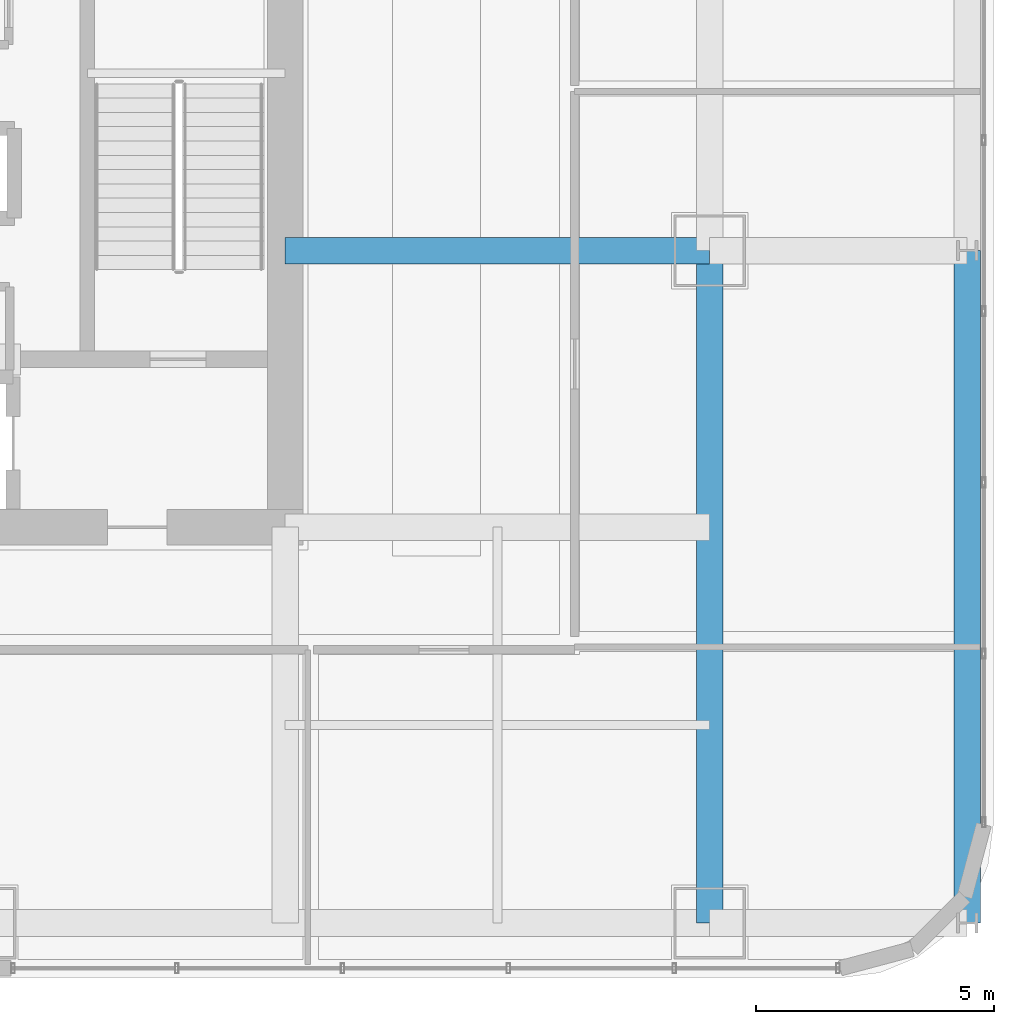
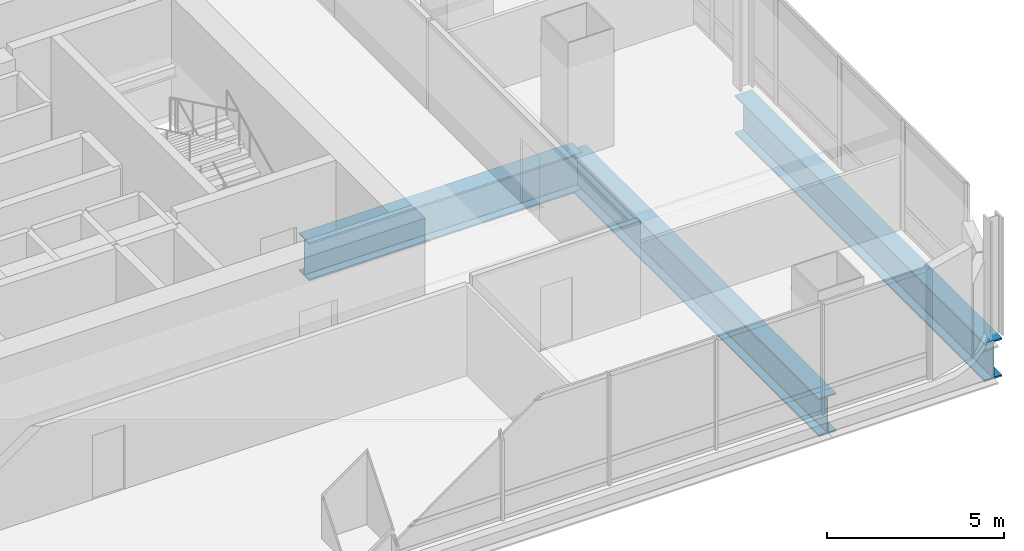
# One storey, part 12 of 37: 3 beams.
"""IFC4 building model written with IfcOpenShell, lengths in metres."""

from ifc_helpers import new_model, si_unit, direction, frame, origin, origin_2d, place, context, subcontext, project, spatial, i_section, extrude, material, material_profile, profile_set, type_object, element, save


model = new_model("IFC4")

# Units and contexts
model_context = context("Model", 3, precision=1e-05, world=origin(), true_north=direction((0.0, 1.0)))
body_context = subcontext(model_context, "Body", "Model", "MODEL_VIEW")
ifc_project = project(units=[si_unit("LENGTHUNIT", "METRE"), si_unit("AREAUNIT", "SQUARE_METRE"), si_unit("VOLUMEUNIT", "CUBIC_METRE"), si_unit("PLANEANGLEUNIT", "RADIAN"), si_unit("MASSUNIT", "GRAM", prefix="KILO")], contexts=[model_context])

# Site, building, storey
site_placement = place(None, origin())
site = spatial("IfcSite", under=ifc_project, at=site_placement, CompositionType="ELEMENT")
building_placement = place(site_placement, origin())
building = spatial("IfcBuilding", under=site, at=building_placement, Name="Punatoya Terracotta Tower", CompositionType="ELEMENT")
storey_placement = place(building_placement, frame((0.0, 0.0, 109.199951171875)))
storey = spatial("IfcBuildingStorey", under=building, at=storey_placement, Name="L25", CompositionType="ELEMENT", Elevation=109.199951171875)

# Beams
ifc_material = material(Name="Steel S460", Category="steel")
ifc_material_profile = material_profile(ifc_material, i_section(OverallWidth=0.56005859375, OverallDepth=1.320068359375, WebThickness=0.035888671875, FlangeThickness=0.054931640625, FilletRadius=0.01806640625, at=origin_2d()))
ifc_profile_set = profile_set([ifc_material_profile], Name="Steel S460")
beam_type = type_object("IfcBeamType", Name="BM-TG-BLK", PredefinedType="BEAM", material=ifc_profile_set)
beam_1_placement = place(storey_placement, frame((19.10009765625, -17.5, -0.89990234375), z_axis=(0.0, 1.0, 0.0), x_axis=(-1.0, 0.0, 0.0)))
element("IfcBeam", 1, at=beam_1_placement, inside=storey, type_object=beam_type, Name="BM-L25-RG-E1", PredefinedType="BEAM", context=body_context, shape_type="SweptSolid", body=[
    extrude(i_section(OverallWidth=0.56005859375, OverallDepth=1.320068359375, WebThickness=0.035888671875, FlangeThickness=0.054931640625, FilletRadius=0.01806640625, at=origin_2d()), origin(), (0.0, 0.0, 1.0), 14.10009765625),
])
beam_2_placement = place(storey_placement, frame((10.199951171875, -3.39990234375, -0.89990234375), z_axis=(1.0, 0.0, 0.0), x_axis=(0.0, 1.0, 0.0)))
element("IfcBeam", 2, at=beam_2_placement, inside=storey, type_object=beam_type, Name="BM-L25-PR-ED", PredefinedType="BEAM", context=body_context, shape_type="SweptSolid", body=[
    extrude(i_section(OverallWidth=0.56005859375, OverallDepth=1.320068359375, WebThickness=0.035888671875, FlangeThickness=0.054931640625, FilletRadius=0.01806640625, at=origin_2d()), origin(), (0.0, 0.0, 1.0), 8.900146484375),
])
beam_3_placement = place(storey_placement, frame((24.5, -17.5, -0.89990234375), z_axis=(0.0, 1.0, 0.0), x_axis=(-1.0, 0.0, 0.0)))
element("IfcBeam", 3, at=beam_3_placement, inside=storey, type_object=beam_type, Name="BM-L25-PER-E1", PredefinedType="BEAM", context=body_context, shape_type="SweptSolid", body=[
    extrude(i_section(OverallWidth=0.56005859375, OverallDepth=1.320068359375, WebThickness=0.035888671875, FlangeThickness=0.054931640625, FilletRadius=0.01806640625, at=origin_2d()), origin(), (0.0, 0.0, 1.0), 14.10009765625),
])

save(model, "model.ifc")
